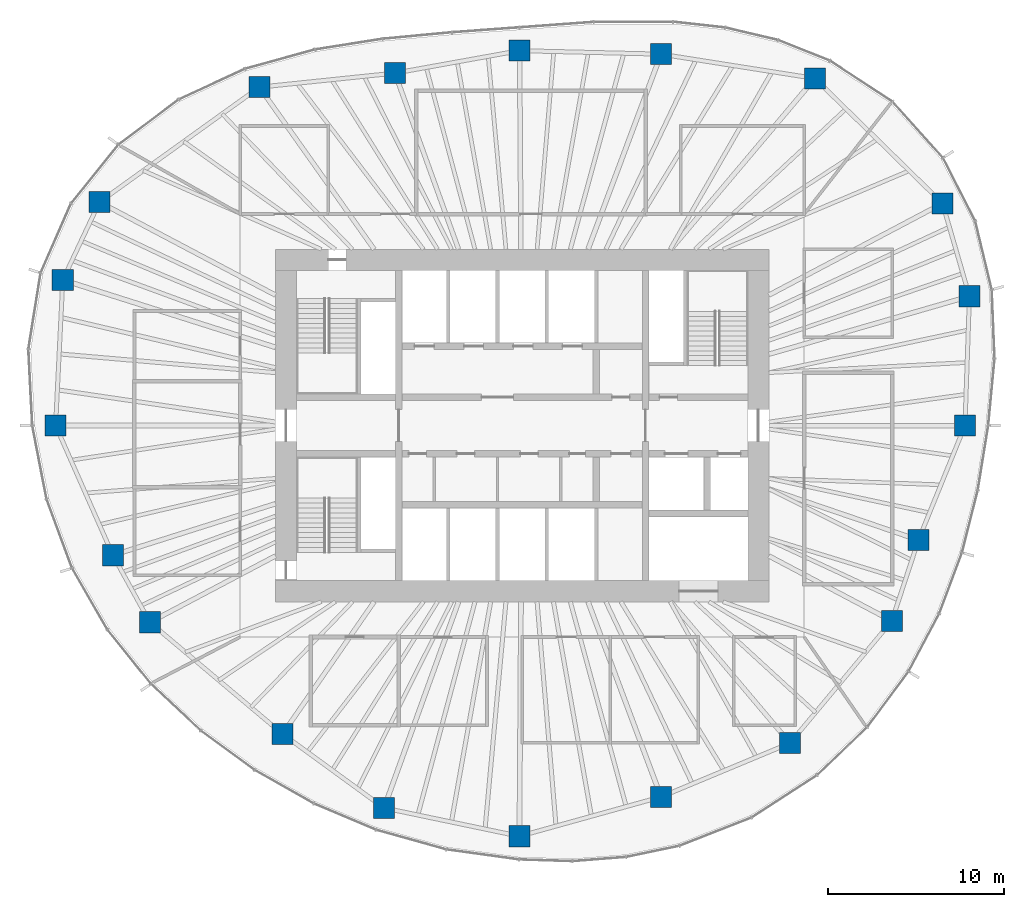
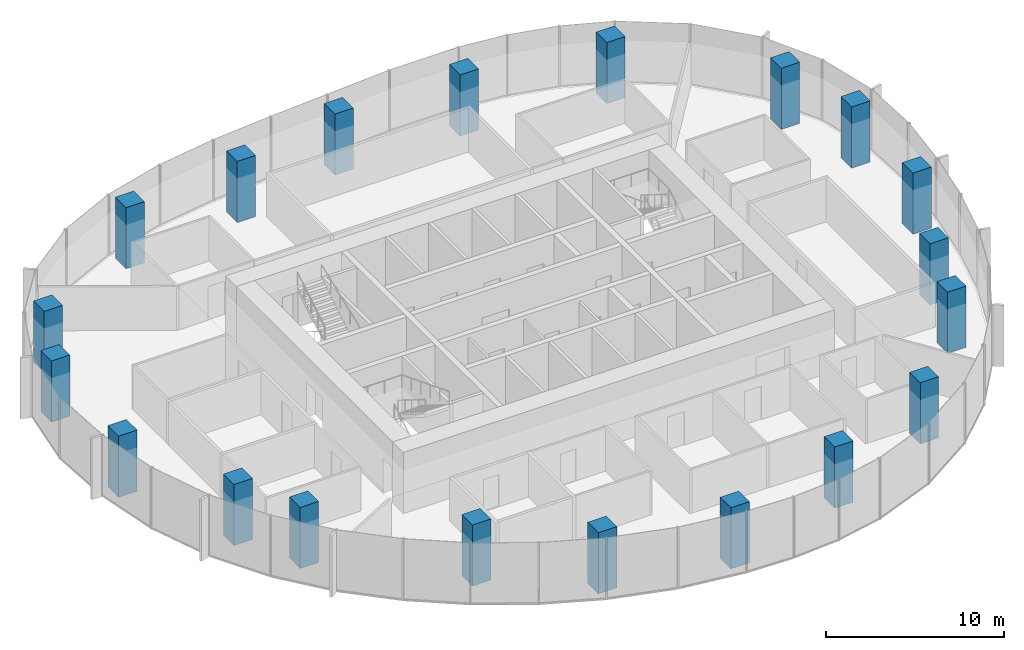
# One storey, part 1 of 11: 20 columns.
"""IFC4 building model written with IfcOpenShell, lengths in metres."""

from ifc_helpers import new_model, si_unit, direction, frame, origin, origin_2d, place, context, subcontext, project, spatial, rectangle, extrude, material, material_profile, profile_set, type_object, element, save


model = new_model("IFC4")

# Units and contexts
model_context = context("Model", 3, precision=1e-05, world=origin(), true_north=direction((0.0, 1.0)))
body_context = subcontext(model_context, "Body", "Model", "MODEL_VIEW")
ifc_project = project(units=[si_unit("LENGTHUNIT", "METRE"), si_unit("AREAUNIT", "SQUARE_METRE"), si_unit("VOLUMEUNIT", "CUBIC_METRE"), si_unit("PLANEANGLEUNIT", "RADIAN"), si_unit("MASSUNIT", "GRAM", prefix="KILO")], contexts=[model_context])

# Site, building, storey
site_placement = place(None, origin())
site = spatial("IfcSite", under=ifc_project, at=site_placement, CompositionType="ELEMENT")
building_placement = place(site_placement, origin())
building = spatial("IfcBuilding", under=site, at=building_placement, Name="Ghaith Harvest Tower", CompositionType="ELEMENT")
storey_placement = place(building_placement, frame((0.0, 0.0, 257.800048828125)))
storey = spatial("IfcBuildingStorey", under=building, at=storey_placement, Name="L57", CompositionType="ELEMENT", Elevation=257.800048828125)

# Columns
ifc_material = material(Name="Concrete C60/75", Category="concrete")
ifc_material_profile = material_profile(ifc_material, rectangle(XDim=1.199951171875, YDim=1.199951171875, at=origin_2d()), Name="RC1200X1200")
ifc_profile_set = profile_set([ifc_material_profile], Name="Concrete C60/75")
column_type = type_object("IfcColumnType", Name="TC6 RC1200X1200", PredefinedType="COLUMN", material=ifc_profile_set)
for number, where, z_axis, x_axis, name in (
    (1, (25.125, 0.0, 0.0), (0.0, 0.0, 1.0), (1.0, 0.0, 0.0), "Perimeter column C01"),
    (2, (25.3779296875, 7.3349609375, 0.0), (0.0, 0.0, 1.0), (1.0, 0.0, 0.0), "Perimeter column C02"),
    (3, (23.85205078125, 12.60693359375, 0.0), (0.0, 0.0, 1.0), (1.0, 0.0, 0.0), "Perimeter column C03"),
    (4, (16.60791015625, 19.695068359375, 0.0), (0.0, 0.0, 1.0), (1.0, 0.0, 0.0), "Perimeter column C04"),
    (5, (7.8779296875, 21.072021484375, 0.0), (0.0, 0.0, 1.0), (1.0, 0.0, 0.0), "Perimeter column C05"),
    (6, (-0.14599609375, 21.27099609375, 0.0), (0.0, 0.0, 1.0), (1.0, 0.0, 0.0), "Perimeter column C06"),
    (7, (-7.221923828125, 19.9970703125, 0.0), (0.0, 0.0, 1.0), (1.0, 0.0, 0.0), "Perimeter column C07"),
    (8, (-14.910888671875, 19.199951171875, 0.0), (0.0, 0.0, 1.0), (1.0, 0.0, 0.0), "Perimeter column C08"),
    (9, (-23.986083984375, 12.677978515625, 0.0), (0.0, 0.0, 1.0), (1.0, 0.0, 0.0), "Perimeter column C09"),
    (10, (-26.06689453125, 8.260986328125, 0.0), (0.0, 0.0, 1.0), (1.0, 0.0, 0.0), "Perimeter column C10"),
    (11, (-26.47509765625, 0.0, 0.0), (0.0, 0.0, 1.0), (1.0, 0.0, 0.0), "Perimeter column C11"),
    (12, (-23.22412109375, -7.360107421875, 0.0), (0.0, 0.0, 1.0), (1.0, 0.0, 0.0), "Perimeter column C12"),
    (13, (-21.125, -11.166015625, 0.0), (0.0, 0.0, 1.0), (1.0, 0.0, 0.0), "Perimeter column C13"),
    (14, (-13.594970703125, -17.5048828125, 0.0), (0.0, 0.0, 1.0), (1.0, 0.0, 0.0), "Perimeter column C14"),
    (15, (-7.837890625, -21.699951171875, 0.0), (0.0, 0.0, 1.0), (1.0, 0.0, 0.0), "Perimeter column C15"),
    (16, (-0.158935546875, -23.304931640625, 0.0), (0.0, 0.0, 1.0), (1.0, 0.0, 0.0), "Perimeter column C16"),
    (17, (7.8779296875, -21.072021484375, 0.0), (0.0, 0.0, 1.0), (1.0, 0.0, 0.0), "Perimeter column C17"),
    (18, (15.197998046875, -18.02294921875, 0.0), (0.0, 0.0, 1.0), (1.0, 0.0, 0.0), "Perimeter column C18"),
    (19, (20.97705078125, -11.087890625, 0.0), (0.0, 0.0, 1.0), (1.0, 0.0, 0.0), "Perimeter column C19"),
    (20, (22.485107421875, -6.4990234375, 0.0), (0.0, 0.0, 1.0), (1.0, 0.0, 0.0), "Perimeter column C20"),
):
    element("IfcColumn", number, at=place(storey_placement, frame(where, z_axis=z_axis, x_axis=x_axis)), inside=storey, type_object=column_type, Name=name, PredefinedType="COLUMN", context=body_context, shape_type="SweptSolid", body=[
        extrude(rectangle(XDim=1.199951171875, YDim=1.199951171875, at=origin_2d()), origin(), (0.0, 0.0, 1.0), 4.199951171875),
    ])

save(model, "model.ifc")
